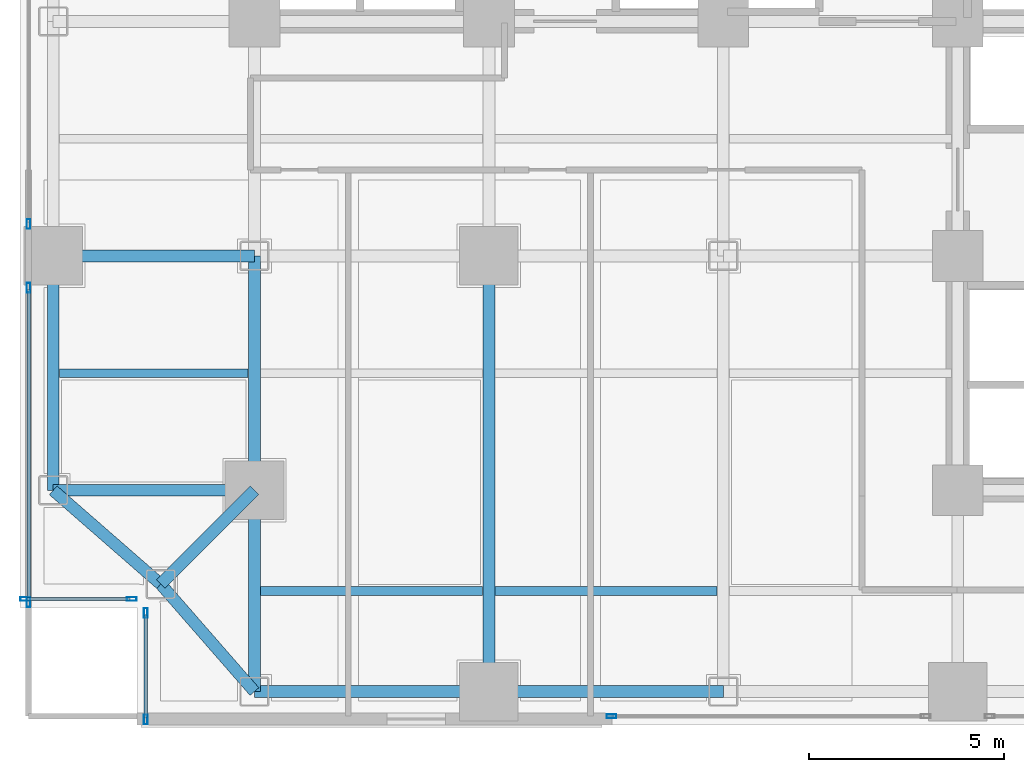
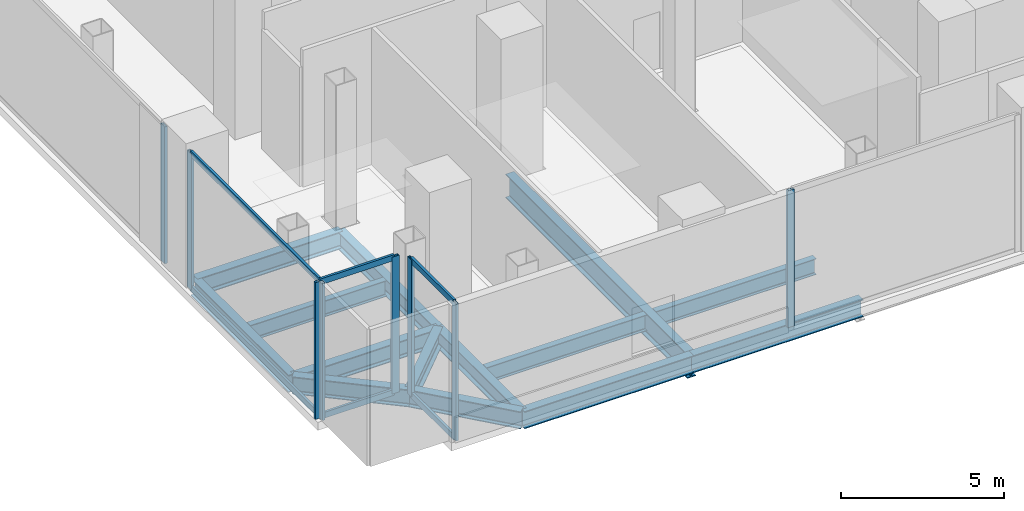
# One storey, part 3 of 27: 14 beams, 14 members, 5 elements without a shape of their own.
"""IFC4 building model written with IfcOpenShell, lengths in metres."""

from ifc_helpers import new_model, si_unit, direction, frame, origin, origin_2d, place, context, subcontext, project, spatial, hollow_rectangle, i_section, extrude, material, layer, layer_set, material_profile, profile_set, type_object, element, aggregate, save


model = new_model("IFC4")

# Units and contexts
model_context = context("Model", 3, precision=1e-05, world=origin(), true_north=direction((0.0, 1.0)))
body_context = subcontext(model_context, "Body", "Model", "MODEL_VIEW")
ifc_project = project(units=[si_unit("LENGTHUNIT", "METRE"), si_unit("AREAUNIT", "SQUARE_METRE"), si_unit("VOLUMEUNIT", "CUBIC_METRE"), si_unit("PLANEANGLEUNIT", "RADIAN"), si_unit("MASSUNIT", "GRAM", prefix="KILO"), si_unit("THERMODYNAMICTEMPERATUREUNIT", "KELVIN"), si_unit("POWERUNIT", "WATT")], contexts=[model_context])

# Site, building, storey
site_placement = place(None, origin())
site = spatial("IfcSite", under=ifc_project, at=site_placement, CompositionType="ELEMENT")
building_placement = place(site_placement, origin())
building = spatial("IfcBuilding", under=site, at=building_placement, Name="Svarakhadi Broadcast Tower", CompositionType="ELEMENT")
storey_placement = place(building_placement, frame((0.0, 0.0, 16.5)))
storey = spatial("IfcBuildingStorey", under=building, at=storey_placement, Name="L03", CompositionType="ELEMENT", Elevation=16.5)

# Beams
ifc_material_1 = material(Name="Steel S355J2 (IS 2062 E350C)", Category="steel")
ifc_material_profile_1 = material_profile(ifc_material_1, i_section(OverallWidth=0.219970703125, OverallDepth=0.60009765625, WebThickness=0.011962890625, FlangeThickness=0.01904296875, FilletRadius=0.02392578125, at=origin_2d()), Name="NPB 600x220x122")
ifc_profile_set_1 = profile_set([ifc_material_profile_1], Name="Steel S355J2 (IS 2062 E350C)")
beam_type_1 = type_object("IfcBeamType", Name="Beam_NPB600", PredefinedType="BEAM", material=ifc_profile_set_1)
beam_1_placement = place(storey_placement, frame((1.010009765625, 9.0, -0.60009765625), z_axis=(1.0, 0.0, 0.0), x_axis=(0.0, 1.0, 0.0)))
element("IfcBeam", 1, at=beam_1_placement, inside=storey, type_object=beam_type_1, Name="L03 Secondary Composite Beam SB001", PredefinedType="BEAM", context=body_context, shape_type="SweptSolid", body=[
    extrude(i_section(OverallWidth=0.219970703125, OverallDepth=0.60009765625, WebThickness=0.011962890625, FlangeThickness=0.01904296875, FilletRadius=0.02392578125, at=origin_2d()), origin(), (0.0, 0.0, 1.0), 4.830078125),
])
for number, where, z_axis, x_axis, name in (
    (2, (6.159912109375, 3.425048828125, -0.60009765625), (1.0, 0.0, 0.0), (0.0, 1.0, 0.0), "L03 Secondary Composite Beam SB007"),
    (3, (12.159912109375, 3.425048828125, -0.60009765625), (1.0, 0.0, 0.0), (0.0, 1.0, 0.0), "L03 Secondary Composite Beam SB010"),
):
    element("IfcBeam", number, at=place(storey_placement, frame(where, z_axis=z_axis, x_axis=x_axis)), inside=storey, type_object=beam_type_1, Name=name, PredefinedType="BEAM", context=body_context, shape_type="SweptSolid", body=[
        extrude(i_section(OverallWidth=0.219970703125, OverallDepth=0.60009765625, WebThickness=0.011962890625, FlangeThickness=0.01904296875, FilletRadius=0.02392578125, at=origin_2d()), origin(), (0.0, 0.0, 1.0), 5.68017578125),
    ])

# Curtain wall, members
ifc_material_2 = material(Name="Anodised Bronze Aluminium AA 6063-T6", Category="aluminium")
ifc_layer = layer(ifc_material_2, 0.25)
ifc_layer_set = layer_set([ifc_layer], Name="Anodised Bronze Aluminium AA 6063-T6")
curtain_wall_type = type_object("IfcCurtainWallType", Name="CW_Sys_01", PredefinedType="NOTDEFINED", material=ifc_layer_set)
curtain_wall_1_placement = place(storey_placement, origin())
curtain_wall_1 = element("IfcCurtainWall", 4, at=curtain_wall_1_placement, inside=storey, type_object=curtain_wall_type, Name="L03 Unitised Facade Curtain Wall 01", PredefinedType="NOTDEFINED")
ifc_material_profile_2 = material_profile(ifc_material_2, hollow_rectangle(XDim=0.094970703125, YDim=0.25, WallThickness=0.006103515625, at=origin_2d()), Name="ALU MULLION 250x95x6")
ifc_profile_set_2 = profile_set([ifc_material_profile_2], Name="Anodised Bronze Aluminium AA 6063-T6")
member_type_1 = type_object("IfcMemberType", Name="CW_Sys_01_Mul", PredefinedType="MULLION", material=ifc_profile_set_2)
member_1_placement = place(storey_placement, frame((2.862548828125, 3.219970703125, 0.0), z_axis=(0.0, 0.0, 1.0), x_axis=(0.0, -1.0, 0.0)))
member_1 = element("IfcMember", 5, at=member_1_placement, type_object=member_type_1, Name="CW-01 mullion 1", PredefinedType="MULLION", context=body_context, shape_type="SweptSolid", body=[
    extrude(hollow_rectangle(XDim=0.094970703125, YDim=0.25, WallThickness=0.006103515625, at=origin_2d()), origin(), (0.0, 0.0, 1.0), 5.125),
])
member_2_placement = place(storey_placement, frame((0.137451171875, 3.219970703125, 0.0), z_axis=(0.0, 0.0, 1.0), x_axis=(0.0, -1.0, 0.0)))
member_2 = element("IfcMember", 6, at=member_2_placement, type_object=member_type_1, Name="CW-01 mullion 2", PredefinedType="MULLION", context=body_context, shape_type="SweptSolid", body=[
    extrude(hollow_rectangle(XDim=0.094970703125, YDim=0.25, WallThickness=0.006103515625, at=origin_2d()), origin(), (0.0, 0.0, 1.0), 5.125),
])

curtain_wall_2_placement = place(storey_placement, origin())
curtain_wall_2 = element("IfcCurtainWall", 7, at=curtain_wall_2_placement, inside=storey, type_object=curtain_wall_type, Name="L03 Unitised Facade Curtain Wall 02 Bay 1", PredefinedType="NOTDEFINED")
member_3_placement = place(storey_placement, frame((0.219970703125, 3.137451171875, 0.0), z_axis=(0.0, 0.0, 1.0), x_axis=(-1.0, 0.0, 0.0)))
member_3 = element("IfcMember", 8, at=member_3_placement, type_object=member_type_1, Name="CW-01 mullion 1", PredefinedType="MULLION", context=body_context, shape_type="SweptSolid", body=[
    extrude(hollow_rectangle(XDim=0.094970703125, YDim=0.25, WallThickness=0.006103515625, at=origin_2d()), origin(), (0.0, 0.0, 1.0), 5.125),
])
member_4_placement = place(storey_placement, frame((0.219970703125, 11.1826171875, 0.0), z_axis=(0.0, 0.0, 1.0), x_axis=(-1.0, 0.0, 0.0)))
member_4 = element("IfcMember", 9, at=member_4_placement, type_object=member_type_1, Name="CW-01 mullion 2", PredefinedType="MULLION", context=body_context, shape_type="SweptSolid", body=[
    extrude(hollow_rectangle(XDim=0.094970703125, YDim=0.25, WallThickness=0.006103515625, at=origin_2d()), origin(), (0.0, 0.0, 1.0), 5.125),
])

# Curtain wall, member
curtain_wall_3_placement = place(storey_placement, origin())
curtain_wall_3 = element("IfcCurtainWall", 10, at=curtain_wall_3_placement, inside=storey, type_object=curtain_wall_type, Name="L03 Unitised Facade Curtain Wall 02 Bay 2", PredefinedType="NOTDEFINED")
member_5_placement = place(storey_placement, frame((0.219970703125, 12.8173828125, 0.0), z_axis=(0.0, 0.0, 1.0), x_axis=(-1.0, 0.0, 0.0)))
member_5 = element("IfcMember", 11, at=member_5_placement, type_object=member_type_1, Name="CW-01 mullion 1", PredefinedType="MULLION", context=body_context, shape_type="SweptSolid", body=[
    extrude(hollow_rectangle(XDim=0.094970703125, YDim=0.25, WallThickness=0.006103515625, at=origin_2d()), origin(), (0.0, 0.0, 1.0), 5.125),
])
aggregate(curtain_wall_3, [member_5])

curtain_wall_4_placement = place(storey_placement, origin())
curtain_wall_4 = element("IfcCurtainWall", 12, at=curtain_wall_4_placement, inside=storey, type_object=curtain_wall_type, Name="L03 South Curtain Wall 11 Bay 5", PredefinedType="NOTDEFINED")
member_6_placement = place(storey_placement, frame((15.137451171875, 0.219970703125, 0.0), z_axis=(0.0, 0.0, 1.0), x_axis=(0.0, -1.0, 0.0)))
member_6 = element("IfcMember", 13, at=member_6_placement, type_object=member_type_1, Name="CW-01 mullion 2", PredefinedType="MULLION", context=body_context, shape_type="SweptSolid", body=[
    extrude(hollow_rectangle(XDim=0.094970703125, YDim=0.25, WallThickness=0.006103515625, at=origin_2d()), origin(), (0.0, 0.0, 1.0), 5.125),
])
aggregate(curtain_wall_4, [member_6])

# Curtain wall, members
curtain_wall_5_placement = place(storey_placement, origin())
curtain_wall_5 = element("IfcCurtainWall", 14, at=curtain_wall_5_placement, inside=storey, type_object=curtain_wall_type, Name="L03 Unitised Facade Curtain Wall 12", PredefinedType="NOTDEFINED")
member_7_placement = place(storey_placement, frame((3.219970703125, 0.137451171875, 0.0), z_axis=(0.0, 0.0, 1.0), x_axis=(-1.0, 0.0, 0.0)))
member_7 = element("IfcMember", 15, at=member_7_placement, type_object=member_type_1, Name="CW-01 mullion 1", PredefinedType="MULLION", context=body_context, shape_type="SweptSolid", body=[
    extrude(hollow_rectangle(XDim=0.094970703125, YDim=0.25, WallThickness=0.006103515625, at=origin_2d()), origin(), (0.0, 0.0, 1.0), 5.125),
])
member_8_placement = place(storey_placement, frame((3.219970703125, 2.862548828125, 0.0), z_axis=(0.0, 0.0, 1.0), x_axis=(-1.0, 0.0, 0.0)))
member_8 = element("IfcMember", 16, at=member_8_placement, type_object=member_type_1, Name="CW-01 mullion 2", PredefinedType="MULLION", context=body_context, shape_type="SweptSolid", body=[
    extrude(hollow_rectangle(XDim=0.094970703125, YDim=0.25, WallThickness=0.006103515625, at=origin_2d()), origin(), (0.0, 0.0, 1.0), 5.125),
])

# Member
ifc_material_profile_3 = material_profile(ifc_material_2, hollow_rectangle(XDim=0.0849609375, YDim=0.219970703125, WallThickness=0.0048828125, at=origin_2d()), Name="ALU TRANSOM 220x85x5")
ifc_profile_set_3 = profile_set([ifc_material_profile_3], Name="Anodised Bronze Aluminium AA 6063-T6")
member_type_2 = type_object("IfcMemberType", Name="CW_Sys_01_Trn", PredefinedType="USERDEFINED", material=ifc_profile_set_3)
member_9_placement = place(storey_placement, frame((2.81494140625, 3.219970703125, 0.04248046875), z_axis=(-1.0, 0.0, 0.0), x_axis=(0.0, -1.0, 0.0)))
member_9 = element("IfcMember", 17, at=member_9_placement, type_object=member_type_2, Name="CW-01 transom 1.1", ObjectType="TRANSOM", PredefinedType="USERDEFINED", context=body_context, shape_type="SweptSolid", body=[
    extrude(hollow_rectangle(XDim=0.0849609375, YDim=0.219970703125, WallThickness=0.0048828125, at=origin_2d()), origin(), (0.0, 0.0, 1.0), 2.6298828125),
])

member_10_placement = place(storey_placement, frame((2.81494140625, 3.219970703125, 5.08251953125), z_axis=(-1.0, 0.0, 0.0), x_axis=(0.0, -1.0, 0.0)))
member_10 = element("IfcMember", 18, at=member_10_placement, type_object=member_type_2, Name="CW-01 transom 1.2", ObjectType="TRANSOM", PredefinedType="USERDEFINED", context=body_context, shape_type="SweptSolid", body=[
    extrude(hollow_rectangle(XDim=0.0849609375, YDim=0.219970703125, WallThickness=0.0048828125, at=origin_2d()), origin(), (0.0, 0.0, 1.0), 2.6298828125),
])

aggregate(curtain_wall_1, [member_1, member_2, member_9, member_10])

member_11_placement = place(storey_placement, frame((0.219970703125, 3.18505859375, 0.04248046875), z_axis=(0.0, 1.0, 0.0), x_axis=(-1.0, 0.0, 0.0)))
member_11 = element("IfcMember", 19, at=member_11_placement, type_object=member_type_2, Name="CW-01 transom 1.1", ObjectType="TRANSOM", PredefinedType="USERDEFINED", context=body_context, shape_type="SweptSolid", body=[
    extrude(hollow_rectangle(XDim=0.0849609375, YDim=0.219970703125, WallThickness=0.0048828125, at=origin_2d()), origin(), (0.0, 0.0, 1.0), 7.949951171875),
])

member_12_placement = place(storey_placement, frame((0.219970703125, 3.18505859375, 5.08251953125), z_axis=(0.0, 1.0, 0.0), x_axis=(-1.0, 0.0, 0.0)))
member_12 = element("IfcMember", 20, at=member_12_placement, type_object=member_type_2, Name="CW-01 transom 1.2", ObjectType="TRANSOM", PredefinedType="USERDEFINED", context=body_context, shape_type="SweptSolid", body=[
    extrude(hollow_rectangle(XDim=0.0849609375, YDim=0.219970703125, WallThickness=0.0048828125, at=origin_2d()), origin(), (0.0, 0.0, 1.0), 7.949951171875),
])

aggregate(curtain_wall_2, [member_3, member_4, member_11, member_12])

member_13_placement = place(storey_placement, frame((3.219970703125, 0.18505859375, 0.04248046875), z_axis=(0.0, 1.0, 0.0), x_axis=(-1.0, 0.0, 0.0)))
member_13 = element("IfcMember", 21, at=member_13_placement, type_object=member_type_2, Name="CW-01 transom 1.1", ObjectType="TRANSOM", PredefinedType="USERDEFINED", context=body_context, shape_type="SweptSolid", body=[
    extrude(hollow_rectangle(XDim=0.0849609375, YDim=0.219970703125, WallThickness=0.0048828125, at=origin_2d()), origin(), (0.0, 0.0, 1.0), 2.6298828125),
])

member_14_placement = place(storey_placement, frame((3.219970703125, 0.18505859375, 5.08251953125), z_axis=(0.0, 1.0, 0.0), x_axis=(-1.0, 0.0, 0.0)))
member_14 = element("IfcMember", 22, at=member_14_placement, type_object=member_type_2, Name="CW-01 transom 1.2", ObjectType="TRANSOM", PredefinedType="USERDEFINED", context=body_context, shape_type="SweptSolid", body=[
    extrude(hollow_rectangle(XDim=0.0849609375, YDim=0.219970703125, WallThickness=0.0048828125, at=origin_2d()), origin(), (0.0, 0.0, 1.0), 2.6298828125),
])

aggregate(curtain_wall_5, [member_7, member_8, member_13, member_14])

# Beams
ifc_material_profile_4 = material_profile(ifc_material_1, i_section(OverallWidth=0.300048828125, OverallDepth=0.64990234375, WebThickness=0.01611328125, FlangeThickness=0.031005859375, FilletRadius=0.027099609375, at=origin_2d()), Name="WPB 650x300x225")
ifc_profile_set_4 = profile_set([ifc_material_profile_4], Name="Steel S355J2 (IS 2062 E350C)")
beam_type_2 = type_object("IfcBeamType", Name="Girder_WPB650", PredefinedType="USERDEFINED", material=ifc_profile_set_4)
beam_2_placement = place(storey_placement, frame((3.60009765625, 3.60009765625, -0.625), z_axis=(0.707106781187, 0.707106781187, 0.0), x_axis=(-0.707106781187, 0.707106781187, 0.0)))
element("IfcBeam", 23, at=beam_2_placement, inside=storey, type_object=beam_type_2, Name="L03 Corner Tie Girder G001", ObjectType="GIRDER", PredefinedType="USERDEFINED", context=body_context, shape_type="SweptSolid", body=[
    extrude(i_section(OverallWidth=0.300048828125, OverallDepth=0.64990234375, WebThickness=0.01611328125, FlangeThickness=0.031005859375, FilletRadius=0.027099609375, at=origin_2d()), origin(), (0.0, 0.0, 1.0), 3.39404296875),
])
for number, where, z_axis, x_axis, name in (
    (24, (3.60009765625, 3.60009765625, -0.625), (-0.753437912176, 0.657519058655, 0.0), (-0.657519058655, -0.753437912176, 0.0), "L03 Corner Tie Girder G002"),
    (25, (3.60009765625, 3.60009765625, -0.625), (0.657519058655, -0.753437912176, 0.0), (0.753437912176, 0.657519058655, 0.0), "L03 Corner Tie Girder G003"),
):
    element("IfcBeam", number, at=place(storey_placement, frame(where, z_axis=z_axis, x_axis=x_axis)), inside=storey, type_object=beam_type_2, Name=name, ObjectType="GIRDER", PredefinedType="USERDEFINED", context=body_context, shape_type="SweptSolid", body=[
        extrude(i_section(OverallWidth=0.300048828125, OverallDepth=0.64990234375, WebThickness=0.01611328125, FlangeThickness=0.031005859375, FilletRadius=0.027099609375, at=origin_2d()), origin(), (0.0, 0.0, 1.0), 3.64990234375),
    ])
for number, where, z_axis, x_axis, name in (
    (26, (6.0, 0.85009765625, -0.625), (1.0, 0.0, 0.0), (0.0, 1.0, 0.0), "L03 Primary E-W Girder G004"),
    (27, (12.0, 0.85009765625, -0.625), (1.0, 0.0, 0.0), (0.0, 1.0, 0.0), "L03 Primary E-W Girder G005"),
):
    element("IfcBeam", number, at=place(storey_placement, frame(where, z_axis=z_axis, x_axis=x_axis)), inside=storey, type_object=beam_type_2, Name=name, ObjectType="GIRDER", PredefinedType="USERDEFINED", context=body_context, shape_type="SweptSolid", body=[
        extrude(i_section(OverallWidth=0.300048828125, OverallDepth=0.64990234375, WebThickness=0.01611328125, FlangeThickness=0.031005859375, FilletRadius=0.027099609375, at=origin_2d()), origin(), (0.0, 0.0, 1.0), 6.0),
    ])
for number, where, z_axis, x_axis, name in (
    (28, (0.85009765625, 6.0, -0.625), (1.0, 0.0, 0.0), (0.0, 1.0, 0.0), "L03 Primary E-W Girder G012"),
    (29, (0.85009765625, 12.0, -0.625), (1.0, 0.0, 0.0), (0.0, 1.0, 0.0), "L03 Primary E-W Girder G014"),
):
    element("IfcBeam", number, at=place(storey_placement, frame(where, z_axis=z_axis, x_axis=x_axis)), inside=storey, type_object=beam_type_2, Name=name, ObjectType="GIRDER", PredefinedType="USERDEFINED", context=body_context, shape_type="SweptSolid", body=[
        extrude(i_section(OverallWidth=0.300048828125, OverallDepth=0.64990234375, WebThickness=0.01611328125, FlangeThickness=0.031005859375, FilletRadius=0.027099609375, at=origin_2d()), origin(), (0.0, 0.0, 1.0), 5.14990234375),
    ])
beam_3_placement = place(storey_placement, frame((0.85009765625, 6.0, -0.625), z_axis=(0.0, 1.0, 0.0), x_axis=(-1.0, 0.0, 0.0)))
element("IfcBeam", 30, at=beam_3_placement, inside=storey, type_object=beam_type_2, Name="L03 Primary N-S Girder G044", ObjectType="GIRDER", PredefinedType="USERDEFINED", context=body_context, shape_type="SweptSolid", body=[
    extrude(i_section(OverallWidth=0.300048828125, OverallDepth=0.64990234375, WebThickness=0.01611328125, FlangeThickness=0.031005859375, FilletRadius=0.027099609375, at=origin_2d()), origin(), (0.0, 0.0, 1.0), 6.0),
])
beam_4_placement = place(storey_placement, frame((6.0, 0.85009765625, -0.625), z_axis=(0.0, 1.0, 0.0), x_axis=(-1.0, 0.0, 0.0)))
element("IfcBeam", 31, at=beam_4_placement, inside=storey, type_object=beam_type_2, Name="L03 Primary N-S Girder G050", ObjectType="GIRDER", PredefinedType="USERDEFINED", context=body_context, shape_type="SweptSolid", body=[
    extrude(i_section(OverallWidth=0.300048828125, OverallDepth=0.64990234375, WebThickness=0.01611328125, FlangeThickness=0.031005859375, FilletRadius=0.027099609375, at=origin_2d()), origin(), (0.0, 0.0, 1.0), 5.14990234375),
])
beam_5_placement = place(storey_placement, frame((6.0, 6.0, -0.625), z_axis=(0.0, 1.0, 0.0), x_axis=(-1.0, 0.0, 0.0)))
element("IfcBeam", 32, at=beam_5_placement, inside=storey, type_object=beam_type_2, Name="L03 Primary N-S Girder G051", ObjectType="GIRDER", PredefinedType="USERDEFINED", context=body_context, shape_type="SweptSolid", body=[
    extrude(i_section(OverallWidth=0.300048828125, OverallDepth=0.64990234375, WebThickness=0.01611328125, FlangeThickness=0.031005859375, FilletRadius=0.027099609375, at=origin_2d()), origin(), (0.0, 0.0, 1.0), 6.0),
])
ifc_material_3 = material(Name="Steel S460ML (IS 2062 E450BR)", Category="steel")
ifc_material_profile_5 = material_profile(ifc_material_3, i_section(OverallWidth=0.300048828125, OverallDepth=0.89990234375, WebThickness=0.0185546875, FlangeThickness=0.034912109375, FilletRadius=0.030029296875, at=origin_2d()), Name="WPB 900x300x291")
ifc_profile_set_5 = profile_set([ifc_material_profile_5], Name="Steel S460ML (IS 2062 E450BR)")
beam_type_3 = type_object("IfcBeamType", Name="Girder_WPB900", PredefinedType="USERDEFINED", material=ifc_profile_set_5)
beam_6_placement = place(storey_placement, frame((12.0, 0.85009765625, -0.75), z_axis=(0.0, 1.0, 0.0), x_axis=(-1.0, 0.0, 0.0)))
element("IfcBeam", 33, at=beam_6_placement, inside=storey, type_object=beam_type_3, Name="L03 Primary N-S Girder G057", ObjectType="GIRDER", PredefinedType="USERDEFINED", context=body_context, shape_type="SweptSolid", body=[
    extrude(i_section(OverallWidth=0.300048828125, OverallDepth=0.89990234375, WebThickness=0.0185546875, FlangeThickness=0.034912109375, FilletRadius=0.030029296875, at=origin_2d()), origin(), (0.0, 0.0, 1.0), 11.14990234375),
])

save(model, "model.ifc")
